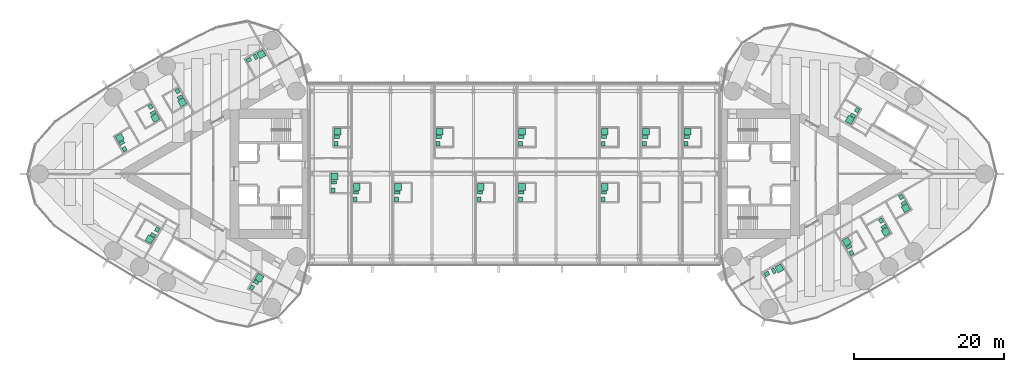
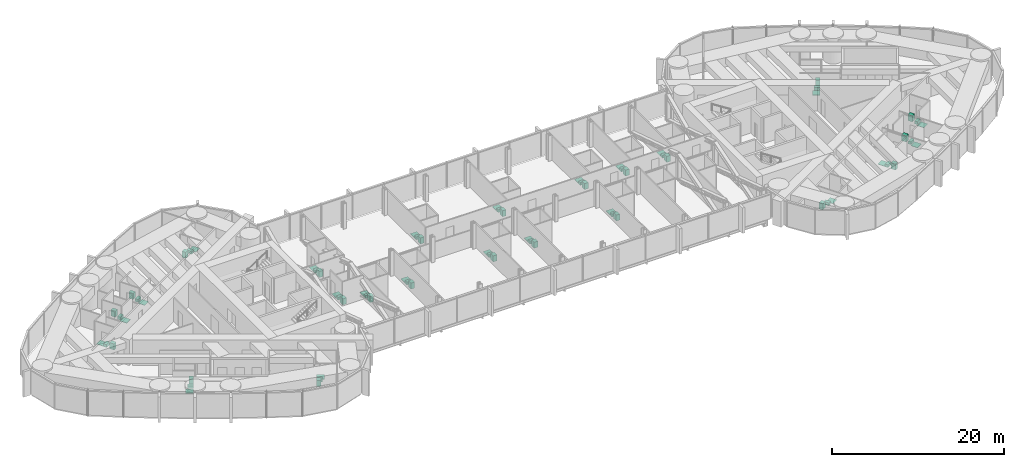
# One storey, part 24 of 24: 29 sanitary terminals.
"""IFC4 building model written with IfcOpenShell, lengths in metres."""

from ifc_helpers import new_model, si_unit, direction, frame, origin, origin_2d, place, context, subcontext, project, spatial, rectangle, extrude, material, type_object, element, save


model = new_model("IFC4")

# Units and contexts
model_context = context("Model", 3, precision=1e-05, world=origin(), true_north=direction((0.0, 1.0)))
body_context = subcontext(model_context, "Body", "Model", "MODEL_VIEW")
ifc_project = project(units=[si_unit("LENGTHUNIT", "METRE"), si_unit("AREAUNIT", "SQUARE_METRE"), si_unit("VOLUMEUNIT", "CUBIC_METRE"), si_unit("PLANEANGLEUNIT", "RADIAN"), si_unit("MASSUNIT", "GRAM", prefix="KILO")], contexts=[model_context])

# Site, building, storey
site_placement = place(None, origin())
site = spatial("IfcSite", under=ifc_project, at=site_placement, CompositionType="ELEMENT")
building_placement = place(site_placement, origin())
building = spatial("IfcBuilding", under=site, at=building_placement, Name="Lancet Gate Hotel", CompositionType="ELEMENT")
storey_placement = place(building_placement, frame((0.0, 0.0, 236.89990234375)))
storey = spatial("IfcBuildingStorey", under=building, at=storey_placement, Name="L63", CompositionType="ELEMENT", Elevation=236.89990234375)

# Sanitary terminals
ifc_material_1 = material(Name="Vitreous china sanitary ware")
sanitary_terminal_type_1 = type_object("IfcSanitaryTerminalType", Name="En-suite sanitary set (shower, WC, basin)", PredefinedType="USERDEFINED", material=ifc_material_1)
sanitary_terminal_1_placement = place(storey_placement, frame((-44.22412109375, 9.51708984375, 0.0), z_axis=(0.0, 0.0, 1.0), x_axis=(1.0, 0.0, 0.0)))
element("IfcSanitaryTerminal", 1, at=sanitary_terminal_1_placement, inside=storey, type_object=sanitary_terminal_type_1, Name="En-suite sanitary set (shower, WC, basin) 6303", ObjectType="EN-SUITE SANITARY SET", PredefinedType="USERDEFINED", context=body_context, shape_type="SweptSolid", body=[
    extrude(rectangle(XDim=0.89990234375, YDim=0.89990234375, at=origin_2d()), frame((0.0, 0.0, 0.0), z_axis=(0.0, 0.0, 1.0), x_axis=(0.5, -0.866025403784, 0.0)), (0.0, 0.0, 1.0), 0.050048828125),
    extrude(rectangle(XDim=0.39990234375, YDim=0.699951171875, at=origin_2d()), frame((-0.2783203125, 0.682373046875, 0.0), z_axis=(0.0, 0.0, 1.0), x_axis=(0.5, -0.866025403784, 0.0)), (0.0, 0.0, 1.0), 0.39990234375),
    extrude(rectangle(XDim=0.60009765625, YDim=0.5, at=origin_2d()), frame((-0.631591796875, 1.494384765625, 0.0), z_axis=(0.0, 0.0, 1.0), x_axis=(0.5, -0.866025403784, 0.0)), (0.0, 0.0, 1.0), 0.85009765625),
])
sanitary_terminal_2_placement = place(storey_placement, frame((-47.817138671875, 7.442626953125, 0.0), z_axis=(0.0, 0.0, 1.0), x_axis=(1.0, 0.0, 0.0)))
element("IfcSanitaryTerminal", 2, at=sanitary_terminal_2_placement, inside=storey, type_object=sanitary_terminal_type_1, Name="En-suite sanitary set (shower, WC, basin) 6304", ObjectType="EN-SUITE SANITARY SET", PredefinedType="USERDEFINED", context=body_context, shape_type="SweptSolid", body=[
    extrude(rectangle(XDim=0.89990234375, YDim=0.89990234375, at=origin_2d()), frame((0.0, 0.0, 0.0), z_axis=(0.0, 0.0, 1.0), x_axis=(0.5, -0.866025403784, 0.0)), (0.0, 0.0, 1.0), 0.050048828125),
    extrude(rectangle(XDim=0.39990234375, YDim=0.699951171875, at=origin_2d()), frame((-0.278564453125, 0.68212890625, 0.0), z_axis=(0.0, 0.0, 1.0), x_axis=(0.5, -0.866025403784, 0.0)), (0.0, 0.0, 1.0), 0.39990234375),
    extrude(rectangle(XDim=0.60009765625, YDim=0.5, at=origin_2d()), frame((-0.6318359375, 1.494384765625, 0.0), z_axis=(0.0, 0.0, 1.0), x_axis=(0.5, -0.866025403784, 0.0)), (0.0, 0.0, 1.0), 0.85009765625),
])
sanitary_terminal_3_placement = place(storey_placement, frame((-52.531005859375, 4.790283203125, 0.0), z_axis=(0.0, 0.0, 1.0), x_axis=(1.0, 0.0, 0.0)))
element("IfcSanitaryTerminal", 3, at=sanitary_terminal_3_placement, inside=storey, type_object=sanitary_terminal_type_1, Name="En-suite sanitary set (shower, WC, basin) 6305", ObjectType="EN-SUITE SANITARY SET", PredefinedType="USERDEFINED", context=body_context, shape_type="SweptSolid", body=[
    extrude(rectangle(XDim=0.89990234375, YDim=0.89990234375, at=origin_2d()), frame((0.0, 0.0, 0.0), z_axis=(0.0, 0.0, 1.0), x_axis=(-0.5, 0.866025403784, 0.0)), (0.0, 0.0, 1.0), 0.050048828125),
    extrude(rectangle(XDim=0.39990234375, YDim=0.699951171875, at=origin_2d()), frame((0.2783203125, -0.68212890625, 0.0), z_axis=(0.0, 0.0, 1.0), x_axis=(-0.5, 0.866025403784, 0.0)), (0.0, 0.0, 1.0), 0.39990234375),
    extrude(rectangle(XDim=0.60009765625, YDim=0.5, at=origin_2d()), frame((0.631591796875, -1.494384765625, 0.0), z_axis=(0.0, 0.0, 1.0), x_axis=(-0.5, 0.866025403784, 0.0)), (0.0, 0.0, 1.0), 0.85009765625),
])
sanitary_terminal_4_placement = place(storey_placement, frame((-48.547119140625, -8.70703125, 0.0), z_axis=(0.0, 0.0, 1.0), x_axis=(1.0, 0.0, 0.0)))
element("IfcSanitaryTerminal", 4, at=sanitary_terminal_4_placement, inside=storey, type_object=sanitary_terminal_type_1, Name="En-suite sanitary set (shower, WC, basin) 6307", ObjectType="EN-SUITE SANITARY SET", PredefinedType="USERDEFINED", context=body_context, shape_type="SweptSolid", body=[
    extrude(rectangle(XDim=0.89990234375, YDim=0.89990234375, at=origin_2d()), frame((0.0, 0.0, 0.0), z_axis=(0.0, 0.0, 1.0), x_axis=(-0.5, -0.866025403784, 0.0)), (0.0, 0.0, 1.0), 0.050048828125),
    extrude(rectangle(XDim=0.39990234375, YDim=0.699951171875, at=origin_2d()), frame((0.451416015625, 0.582275390625, 0.0), z_axis=(0.0, 0.0, 1.0), x_axis=(-0.5, -0.866025403784, 0.0)), (0.0, 0.0, 1.0), 0.39990234375),
    extrude(rectangle(XDim=0.60009765625, YDim=0.5, at=origin_2d()), frame((0.97802734375, 1.29443359375, 0.0), z_axis=(0.0, 0.0, 1.0), x_axis=(-0.5, -0.866025403784, 0.0)), (0.0, 0.0, 1.0), 0.85009765625),
])
sanitary_terminal_5_placement = place(storey_placement, frame((-33.95654296875, -13.82861328125, 0.0), z_axis=(0.0, 0.0, 1.0), x_axis=(1.0, 0.0, 0.0)))
element("IfcSanitaryTerminal", 5, at=sanitary_terminal_5_placement, inside=storey, type_object=sanitary_terminal_type_1, Name="En-suite sanitary set (shower, WC, basin) 6309", ObjectType="EN-SUITE SANITARY SET", PredefinedType="USERDEFINED", context=body_context, shape_type="SweptSolid", body=[
    extrude(rectangle(XDim=0.89990234375, YDim=0.89990234375, at=origin_2d()), frame((0.0, 0.0, 0.0), z_axis=(0.0, 0.0, 1.0), x_axis=(0.5, 0.866025403784, 0.0)), (0.0, 0.0, 1.0), 0.050048828125),
    extrude(rectangle(XDim=0.39990234375, YDim=0.699951171875, at=origin_2d()), frame((-0.45166015625, -0.582275390625, 0.0), z_axis=(0.0, 0.0, 1.0), x_axis=(0.5, 0.866025403784, 0.0)), (0.0, 0.0, 1.0), 0.39990234375),
    extrude(rectangle(XDim=0.60009765625, YDim=0.5, at=origin_2d()), frame((-0.978271484375, -1.294189453125, 0.0), z_axis=(0.0, 0.0, 1.0), x_axis=(0.5, 0.866025403784, 0.0)), (0.0, 0.0, 1.0), 0.85009765625),
])
sanitary_terminal_6_placement = place(storey_placement, frame((44.203125, -9.029296875, 0.0), z_axis=(0.0, 0.0, 1.0), x_axis=(1.0, 0.0, 0.0)))
element("IfcSanitaryTerminal", 6, at=sanitary_terminal_6_placement, inside=storey, type_object=sanitary_terminal_type_1, Name="En-suite sanitary set (shower, WC, basin) 6353", ObjectType="EN-SUITE SANITARY SET", PredefinedType="USERDEFINED", context=body_context, shape_type="SweptSolid", body=[
    extrude(rectangle(XDim=0.89990234375, YDim=0.89990234375, at=origin_2d()), frame((0.0, 0.0, 0.0), z_axis=(0.0, 0.0, 1.0), x_axis=(-0.5, 0.866025403784, 0.0)), (0.0, 0.0, 1.0), 0.050048828125),
    extrude(rectangle(XDim=0.39990234375, YDim=0.699951171875, at=origin_2d()), frame((0.278564453125, -0.68212890625, 0.0), z_axis=(0.0, 0.0, 1.0), x_axis=(-0.5, 0.866025403784, 0.0)), (0.0, 0.0, 1.0), 0.39990234375),
    extrude(rectangle(XDim=0.60009765625, YDim=0.5, at=origin_2d()), frame((0.6318359375, -1.494140625, 0.0), z_axis=(0.0, 0.0, 1.0), x_axis=(-0.5, 0.866025403784, 0.0)), (0.0, 0.0, 1.0), 0.85009765625),
])
sanitary_terminal_7_placement = place(storey_placement, frame((49.3876953125, -7.7216796875, 0.0), z_axis=(0.0, 0.0, 1.0), x_axis=(1.0, 0.0, 0.0)))
element("IfcSanitaryTerminal", 7, at=sanitary_terminal_7_placement, inside=storey, type_object=sanitary_terminal_type_1, Name="En-suite sanitary set (shower, WC, basin) 6354", ObjectType="EN-SUITE SANITARY SET", PredefinedType="USERDEFINED", context=body_context, shape_type="SweptSolid", body=[
    extrude(rectangle(XDim=0.89990234375, YDim=0.89990234375, at=origin_2d()), frame((0.0, 0.0, 0.0), z_axis=(0.0, 0.0, 1.0), x_axis=(0.5, -0.866025403784, 0.0)), (0.0, 0.0, 1.0), 0.050048828125),
    extrude(rectangle(XDim=0.39990234375, YDim=0.699951171875, at=origin_2d()), frame((-0.278564453125, 0.68212890625, 0.0), z_axis=(0.0, 0.0, 1.0), x_axis=(0.5, -0.866025403784, 0.0)), (0.0, 0.0, 1.0), 0.39990234375),
    extrude(rectangle(XDim=0.60009765625, YDim=0.5, at=origin_2d()), frame((-0.6318359375, 1.494140625, 0.0), z_axis=(0.0, 0.0, 1.0), x_axis=(0.5, -0.866025403784, 0.0)), (0.0, 0.0, 1.0), 0.85009765625),
])
sanitary_terminal_8_placement = place(storey_placement, frame((52.0498046875, -4.568115234375, 0.0), z_axis=(0.0, 0.0, 1.0), x_axis=(1.0, 0.0, 0.0)))
element("IfcSanitaryTerminal", 8, at=sanitary_terminal_8_placement, inside=storey, type_object=sanitary_terminal_type_1, Name="En-suite sanitary set (shower, WC, basin) 6355", ObjectType="EN-SUITE SANITARY SET", PredefinedType="USERDEFINED", context=body_context, shape_type="SweptSolid", body=[
    extrude(rectangle(XDim=0.89990234375, YDim=0.89990234375, at=origin_2d()), frame((0.0, 0.0, 0.0), z_axis=(0.0, 0.0, 1.0), x_axis=(0.5, -0.866025403784, 0.0)), (0.0, 0.0, 1.0), 0.050048828125),
    extrude(rectangle(XDim=0.39990234375, YDim=0.699951171875, at=origin_2d()), frame((-0.2783203125, 0.68212890625, 0.0), z_axis=(0.0, 0.0, 1.0), x_axis=(0.5, -0.866025403784, 0.0)), (0.0, 0.0, 1.0), 0.39990234375),
    extrude(rectangle(XDim=0.60009765625, YDim=0.5, at=origin_2d()), frame((-0.631591796875, 1.494140625, 0.0), z_axis=(0.0, 0.0, 1.0), x_axis=(0.5, -0.866025403784, 0.0)), (0.0, 0.0, 1.0), 0.85009765625),
])
sanitary_terminal_9_placement = place(storey_placement, frame((44.594482421875, 7.186767578125, 0.0), z_axis=(0.0, 0.0, 1.0), x_axis=(1.0, 0.0, 0.0)))
element("IfcSanitaryTerminal", 9, at=sanitary_terminal_9_placement, inside=storey, type_object=sanitary_terminal_type_1, Name="En-suite sanitary set (shower, WC, basin) 6358", ObjectType="EN-SUITE SANITARY SET", PredefinedType="USERDEFINED", context=body_context, shape_type="SweptSolid", body=[
    extrude(rectangle(XDim=0.89990234375, YDim=0.89990234375, at=origin_2d()), frame((0.0, 0.0, 0.0), z_axis=(0.0, 0.0, 1.0), x_axis=(-0.5, -0.866025403784, 0.0)), (0.0, 0.0, 1.0), 0.050048828125),
    extrude(rectangle(XDim=0.39990234375, YDim=0.699951171875, at=origin_2d()), frame((0.451416015625, 0.582275390625, 0.0), z_axis=(0.0, 0.0, 1.0), x_axis=(-0.5, -0.866025403784, 0.0)), (0.0, 0.0, 1.0), 0.39990234375),
    extrude(rectangle(XDim=0.60009765625, YDim=0.5, at=origin_2d()), frame((0.97802734375, 1.29443359375, 0.0), z_axis=(0.0, 0.0, 1.0), x_axis=(-0.5, -0.866025403784, 0.0)), (0.0, 0.0, 1.0), 0.85009765625),
])
for number, where, z_axis, x_axis, name in (
    (10, (-21.0048828125, -1.7451171875, 0.0), (0.0, 0.0, 1.0), (1.0, 0.0, 0.0), "En-suite sanitary set (shower, WC, basin) B6302"),
    (11, (-15.5048828125, -1.7451171875, 0.0), (0.0, 0.0, 1.0), (1.0, 0.0, 0.0), "En-suite sanitary set (shower, WC, basin) B6303"),
    (12, (-4.5048828125, -1.7451171875, 0.0), (0.0, 0.0, 1.0), (1.0, 0.0, 0.0), "En-suite sanitary set (shower, WC, basin) B6305"),
    (13, (0.9951171875, -1.7451171875, 0.0), (0.0, 0.0, 1.0), (1.0, 0.0, 0.0), "En-suite sanitary set (shower, WC, basin) B6306"),
    (14, (11.9951171875, -1.7451171875, 0.0), (0.0, 0.0, 1.0), (1.0, 0.0, 0.0), "En-suite sanitary set (shower, WC, basin) B6308"),
):
    element("IfcSanitaryTerminal", number, at=place(storey_placement, frame(where, z_axis=z_axis, x_axis=x_axis)), inside=storey, type_object=sanitary_terminal_type_1, Name=name, ObjectType="EN-SUITE SANITARY SET", PredefinedType="USERDEFINED", context=body_context, shape_type="SweptSolid", body=[
        extrude(rectangle(XDim=0.89990234375, YDim=0.89990234375, at=origin_2d()), frame((0.0, 0.0, 0.0), z_axis=(0.0, 0.0, 1.0), x_axis=(0.0, 1.0, 0.0)), (0.0, 0.0, 1.0), 0.050048828125),
        extrude(rectangle(XDim=0.39990234375, YDim=0.699951171875, at=origin_2d()), frame((-0.10009765625, -0.72998046875, 0.0), z_axis=(0.0, 0.0, 1.0), x_axis=(0.0, 1.0, 0.0)), (0.0, 0.0, 1.0), 0.39990234375),
        extrude(rectangle(XDim=0.60009765625, YDim=0.5, at=origin_2d()), frame((-0.2001953125, -1.60986328125, 0.0), z_axis=(0.0, 0.0, 1.0), x_axis=(0.0, 1.0, 0.0)), (0.0, 0.0, 1.0), 0.85009765625),
    ])
sanitary_terminal_10_placement = place(storey_placement, frame((-23.554931640625, 5.60498046875, 0.0), z_axis=(0.0, 0.0, 1.0), x_axis=(1.0, 0.0, 0.0)))
element("IfcSanitaryTerminal", 15, at=sanitary_terminal_10_placement, inside=storey, type_object=sanitary_terminal_type_1, Name="En-suite sanitary set (shower, WC, basin) B6311", ObjectType="EN-SUITE SANITARY SET", PredefinedType="USERDEFINED", context=body_context, shape_type="SweptSolid", body=[
    extrude(rectangle(XDim=0.89990234375, YDim=0.89990234375, at=origin_2d()), frame((0.0, 0.0, 0.0), z_axis=(0.0, 0.0, 1.0), x_axis=(0.0, 1.0, 0.0)), (0.0, 0.0, 1.0), 0.050048828125),
    extrude(rectangle(XDim=0.39990234375, YDim=0.699951171875, at=origin_2d()), frame((-0.10009765625, -0.72998046875, 0.0), z_axis=(0.0, 0.0, 1.0), x_axis=(0.0, 1.0, 0.0)), (0.0, 0.0, 1.0), 0.39990234375),
    extrude(rectangle(XDim=0.60009765625, YDim=0.5, at=origin_2d()), frame((-0.199951171875, -1.60986328125, 0.0), z_axis=(0.0, 0.0, 1.0), x_axis=(0.0, 1.0, 0.0)), (0.0, 0.0, 1.0), 0.85009765625),
])
for number, where, z_axis, x_axis, name in (
    (16, (-10.0048828125, 5.60498046875, 0.0), (0.0, 0.0, 1.0), (1.0, 0.0, 0.0), "En-suite sanitary set (shower, WC, basin) B6314"),
    (17, (0.9951171875, 5.60498046875, 0.0), (0.0, 0.0, 1.0), (1.0, 0.0, 0.0), "En-suite sanitary set (shower, WC, basin) B6316"),
    (18, (11.9951171875, 5.60498046875, 0.0), (0.0, 0.0, 1.0), (1.0, 0.0, 0.0), "En-suite sanitary set (shower, WC, basin) B6318"),
    (19, (17.4951171875, 5.60498046875, 0.0), (0.0, 0.0, 1.0), (1.0, 0.0, 0.0), "En-suite sanitary set (shower, WC, basin) B6319"),
    (20, (22.9951171875, 5.60498046875, 0.0), (0.0, 0.0, 1.0), (1.0, 0.0, 0.0), "En-suite sanitary set (shower, WC, basin) B6320"),
):
    element("IfcSanitaryTerminal", number, at=place(storey_placement, frame(where, z_axis=z_axis, x_axis=x_axis)), inside=storey, type_object=sanitary_terminal_type_1, Name=name, ObjectType="EN-SUITE SANITARY SET", PredefinedType="USERDEFINED", context=body_context, shape_type="SweptSolid", body=[
        extrude(rectangle(XDim=0.89990234375, YDim=0.89990234375, at=origin_2d()), frame((0.0, 0.0, 0.0), z_axis=(0.0, 0.0, 1.0), x_axis=(0.0, 1.0, 0.0)), (0.0, 0.0, 1.0), 0.050048828125),
        extrude(rectangle(XDim=0.39990234375, YDim=0.699951171875, at=origin_2d()), frame((-0.10009765625, -0.72998046875, 0.0), z_axis=(0.0, 0.0, 1.0), x_axis=(0.0, 1.0, 0.0)), (0.0, 0.0, 1.0), 0.39990234375),
        extrude(rectangle(XDim=0.60009765625, YDim=0.5, at=origin_2d()), frame((-0.2001953125, -1.60986328125, 0.0), z_axis=(0.0, 0.0, 1.0), x_axis=(0.0, 1.0, 0.0)), (0.0, 0.0, 1.0), 0.85009765625),
    ])
ifc_material_2 = material(Name="Stone resin shower tray", Category="masonry")
sanitary_terminal_type_2 = type_object("IfcSanitaryTerminalType", Name="Shower tray 900", PredefinedType="SHOWER", material=ifc_material_2)
for number, where, z_axis, x_axis, name in (
    (21, (-33.6953125, 15.896240234375, 0.0), (0.0, 0.0, 1.0), (0.866025403784, 0.5, 0.0), "Shower tray 900 6302"),
    (22, (35.2412109375, -12.5869140625, 0.0), (0.0, 0.0, 1.0), (0.866025403784, 0.5, 0.0), "Shower tray 900 6352"),
    (23, (-23.955078125, -0.344970703125, 0.0), (0.0, 0.0, 1.0), (0.0, 1.0, 0.0), "Shower tray 900 B6301"),
):
    element("IfcSanitaryTerminal", number, at=place(storey_placement, frame(where, z_axis=z_axis, x_axis=x_axis)), inside=storey, type_object=sanitary_terminal_type_2, Name=name, PredefinedType="SHOWER", context=body_context, shape_type="SweptSolid", body=[
        extrude(rectangle(XDim=0.89990234375, YDim=0.89990234375, at=origin_2d()), origin(), (0.0, 0.0, 1.0), 0.050048828125),
    ])
ifc_material_3 = material(Name="Vitreous china sanitary ware")
sanitary_terminal_type_3 = type_object("IfcSanitaryTerminalType", Name="Vanity basin 600", PredefinedType="WASHHANDBASIN", material=ifc_material_3)
for number, where, z_axis, x_axis, name in (
    (24, (-35.36279296875, 15.164306640625, 0.0), (0.0, 0.0, 1.0), (0.866025403784, 0.5, 0.0), "Vanity basin 600 6302"),
    (25, (33.57373046875, -13.318603515625, 0.0), (0.0, 0.0, 1.0), (0.866025403784, 0.5, 0.0), "Vanity basin 600 6352"),
    (26, (-24.155029296875, -2.155029296875, 0.0), (0.0, 0.0, 1.0), (0.0, 1.0, 0.0), "Vanity basin 600 B6301"),
):
    element("IfcSanitaryTerminal", number, at=place(storey_placement, frame(where, z_axis=z_axis, x_axis=x_axis)), inside=storey, type_object=sanitary_terminal_type_3, Name=name, PredefinedType="WASHHANDBASIN", context=body_context, shape_type="SweptSolid", body=[
        extrude(rectangle(XDim=0.60009765625, YDim=0.5, at=origin_2d()), origin(), (0.0, 0.0, 1.0), 0.85009765625),
    ])
ifc_material_4 = material(Name="Vitreous china sanitary ware")
sanitary_terminal_type_4 = type_object("IfcSanitaryTerminalType", Name="WC pan wall hung", PredefinedType="TOILETPAN", material=ifc_material_4)
for number, where, z_axis, x_axis, name in (
    (27, (-34.464111328125, 15.56787109375, 0.000244140625), (0.0, 0.0, 1.0), (0.866025403784, 0.5, 0.0), "WC pan wall hung 6302"),
    (28, (34.472412109375, -12.915283203125, 0.000244140625), (0.0, 0.0, 1.0), (0.866025403784, 0.5, 0.0), "WC pan wall hung 6352"),
    (29, (-24.054931640625, -1.175048828125, 0.000244140625), (0.0, 0.0, 1.0), (0.0, 1.0, 0.0), "WC pan wall hung B6301"),
):
    element("IfcSanitaryTerminal", number, at=place(storey_placement, frame(where, z_axis=z_axis, x_axis=x_axis)), inside=storey, type_object=sanitary_terminal_type_4, Name=name, PredefinedType="TOILETPAN", context=body_context, shape_type="SweptSolid", body=[
        extrude(rectangle(XDim=0.39990234375, YDim=0.699951171875, at=origin_2d()), origin(), (0.0, 0.0, 1.0), 0.39990234375),
    ])

save(model, "model.ifc")
